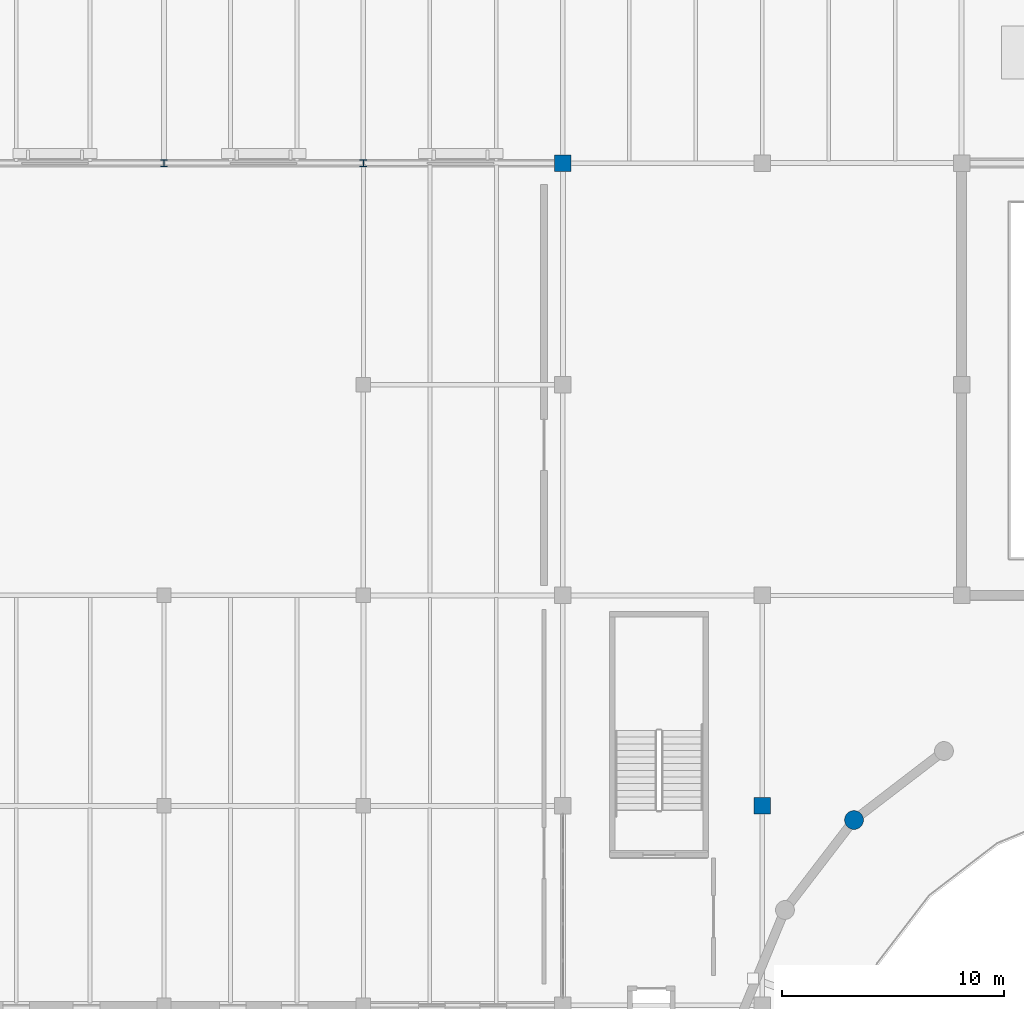
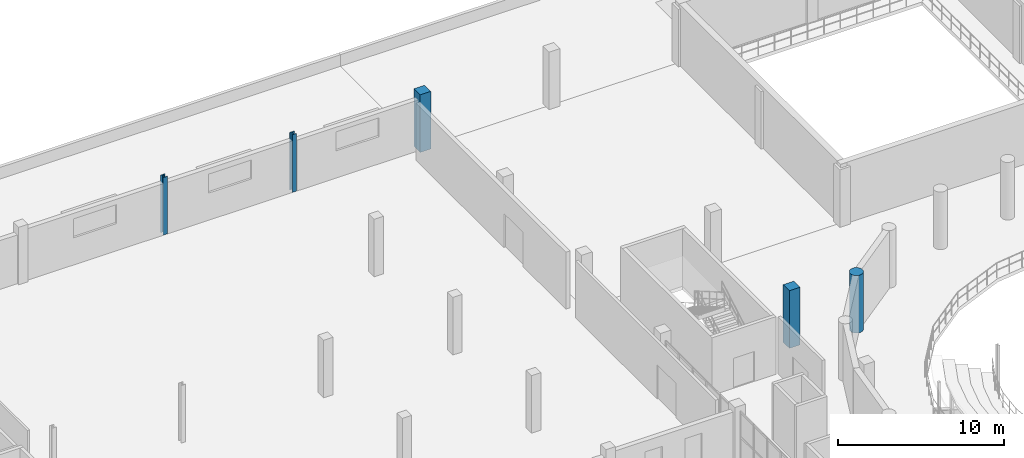
# One storey, part 14 of 85: 5 columns.
"""IFC4 building model written with IfcOpenShell, lengths in metres."""

from ifc_helpers import new_model, si_unit, direction, frame, origin, origin_2d, place, context, subcontext, project, spatial, rectangle, circle, i_section, extrude, material, material_profile, profile_set, type_object, element, save


model = new_model("IFC4")

# Units and contexts
model_context = context("Model", 3, precision=1e-05, world=origin(), true_north=direction((0.0, 1.0)))
body_context = subcontext(model_context, "Body", "Model", "MODEL_VIEW")
ifc_project = project(units=[si_unit("LENGTHUNIT", "METRE"), si_unit("AREAUNIT", "SQUARE_METRE"), si_unit("VOLUMEUNIT", "CUBIC_METRE"), si_unit("PLANEANGLEUNIT", "RADIAN"), si_unit("MASSUNIT", "GRAM", prefix="KILO")], contexts=[model_context])

# Site, building, storey
site_placement = place(None, origin())
site = spatial("IfcSite", under=ifc_project, at=site_placement, CompositionType="ELEMENT")
building_placement = place(site_placement, origin())
building = spatial("IfcBuilding", under=site, at=building_placement, Name="Marnock Terrace Opera House", CompositionType="ELEMENT")
storey_placement = place(building_placement, frame((0.0, 0.0, 10.199951171875)))
storey = spatial("IfcBuildingStorey", under=building, at=storey_placement, Name="L02", CompositionType="ELEMENT", Elevation=10.199951171875)

# Columns
ifc_material_1 = material(Name="Concrete N50 (f'c = 50 MPa)", Category="concrete")
ifc_material_profile_1 = material_profile(ifc_material_1, circle(Radius=0.425048828125, at=origin_2d()))
ifc_profile_set_1 = profile_set([ifc_material_profile_1], Name="Concrete N50 (f'c = 50 MPa)")
column_type_1 = type_object("IfcColumnType", Name="COL-DRUM-850", PredefinedType="COLUMN", material=ifc_profile_set_1)
column_placement = place(storey_placement, frame((68.14111328125, 74.35888671875, 0.0), z_axis=(0.0, 0.0, 1.0), x_axis=(1.0, 0.0, 0.0)))
element("IfcColumn", 1, at=column_placement, inside=storey, type_object=column_type_1, Name="L02 auditorium drum pier 10", PredefinedType="COLUMN", context=body_context, shape_type="SweptSolid", body=[
    extrude(circle(Radius=0.425048828125, at=origin_2d()), origin(), (0.0, 0.0, 1.0), 4.239990234375),
])
ifc_material_profile_2 = material_profile(ifc_material_1, rectangle(XDim=0.75, YDim=0.75, at=origin_2d()))
ifc_profile_set_2 = profile_set([ifc_material_profile_2], Name="Concrete N50 (f'c = 50 MPa)")
column_type_2 = type_object("IfcColumnType", Name="COL-RC750", PredefinedType="COLUMN", material=ifc_profile_set_2)
for number, where, z_axis, x_axis, name in (
    (2, (55.0, 104.0, 0.0), (0.0, 0.0, 1.0), (1.0, 0.0, 0.0), "L02 column at (55.0, 104.0)"),
    (3, (64.0, 75.0, 0.0), (0.0, 0.0, 1.0), (1.0, 0.0, 0.0), "L02 column at (64.0, 75.0)"),
):
    element("IfcColumn", number, at=place(storey_placement, frame(where, z_axis=z_axis, x_axis=x_axis)), inside=storey, type_object=column_type_2, Name=name, PredefinedType="COLUMN", context=body_context, shape_type="SweptSolid", body=[
        extrude(rectangle(XDim=0.75, YDim=0.75, at=origin_2d()), origin(), (0.0, 0.0, 1.0), 4.239990234375),
    ])
ifc_material_2 = material(Name="Steel Grade 350 (AS/NZS 3679.1)", Category="steel")
ifc_material_profile_3 = material_profile(ifc_material_2, i_section(OverallWidth=0.306884765625, OverallDepth=0.314697265625, WebThickness=0.011962890625, FlangeThickness=0.018798828125, FilletRadius=0.0166015625, at=origin_2d()))
ifc_profile_set_3 = profile_set([ifc_material_profile_3], Name="Steel Grade 350 (AS/NZS 3679.1)")
column_type_3 = type_object("IfcColumnType", Name="COL-UC310C", PredefinedType="COLUMN", material=ifc_profile_set_3)
for number, where, z_axis, x_axis, name in (
    (4, (37.0, 104.0, 0.0), (0.0, 0.0, 1.0), (1.0, 0.0, 0.0), "L02 column at (37.0, 104.0)"),
    (5, (46.0, 104.0, 0.0), (0.0, 0.0, 1.0), (1.0, 0.0, 0.0), "L02 column at (46.0, 104.0)"),
):
    element("IfcColumn", number, at=place(storey_placement, frame(where, z_axis=z_axis, x_axis=x_axis)), inside=storey, type_object=column_type_3, Name=name, PredefinedType="COLUMN", context=body_context, shape_type="SweptSolid", body=[
        extrude(i_section(OverallWidth=0.306884765625, OverallDepth=0.314697265625, WebThickness=0.011962890625, FlangeThickness=0.018798828125, FilletRadius=0.0166015625, at=origin_2d()), origin(), (0.0, 0.0, 1.0), 4.239990234375),
    ])

save(model, "model.ifc")
